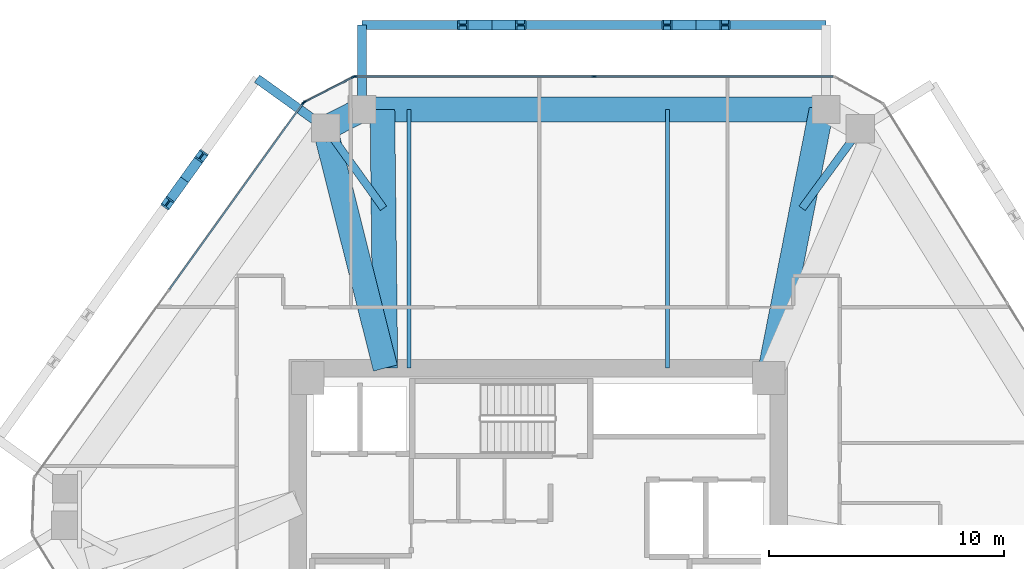
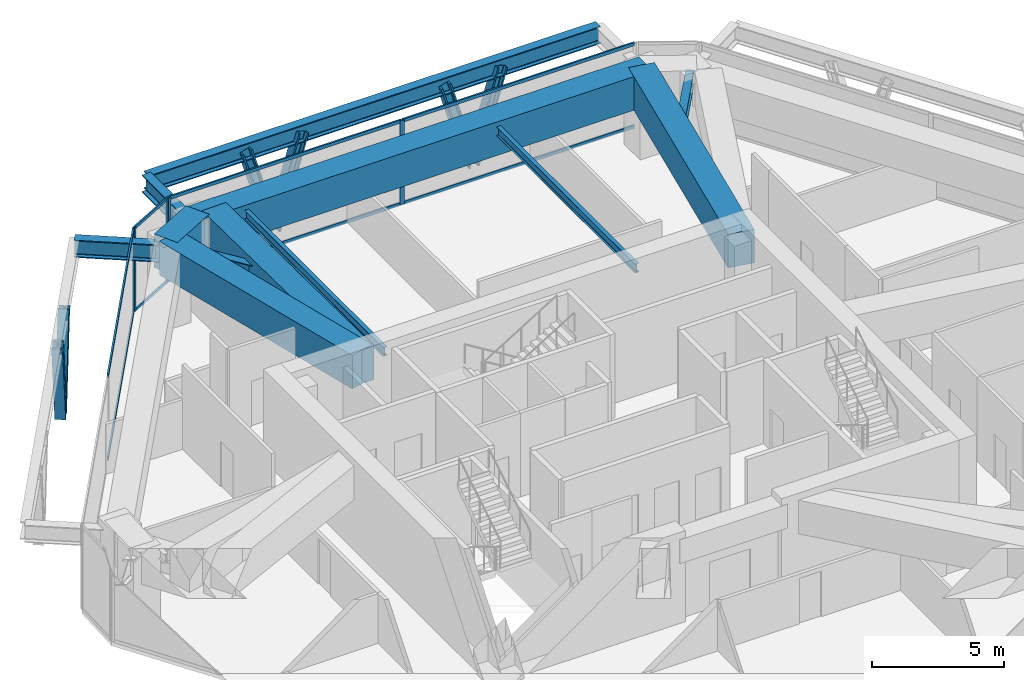
# One storey, part 7 of 14: 19 members, 12 beams, 3 elements without a shape of their own.
"""IFC4 building model written with IfcOpenShell, lengths in metres."""

from ifc_helpers import new_model, si_unit, direction, frame, origin, origin_2d, place, context, subcontext, project, spatial, rectangle, i_section, extrude, source, transform, mapped, material, layer, layer_set, material_profile, profile_set, type_object, type_shapes, element, aggregate, save


model = new_model("IFC4")

# Units and contexts
model_context = context("Model", 3, precision=1e-05, world=origin(), true_north=direction((0.0, 1.0)))
body_context = subcontext(model_context, "Body", "Model", "MODEL_VIEW")
ifc_project = project(units=[si_unit("LENGTHUNIT", "METRE"), si_unit("AREAUNIT", "SQUARE_METRE"), si_unit("VOLUMEUNIT", "CUBIC_METRE"), si_unit("PLANEANGLEUNIT", "RADIAN"), si_unit("MASSUNIT", "GRAM", prefix="KILO")], contexts=[model_context])

# Site, building, storey
site_placement = place(None, origin())
site = spatial("IfcSite", under=ifc_project, at=site_placement, CompositionType="ELEMENT")
building_placement = place(site_placement, origin())
building = spatial("IfcBuilding", under=site, at=building_placement, Name="Durnholm Broadcast Tower", CompositionType="ELEMENT")
storey_placement = place(building_placement, frame((0.0, 0.0, 146.10009765625)))
storey = spatial("IfcBuildingStorey", under=building, at=storey_placement, Name="L40", CompositionType="ELEMENT", Elevation=146.10009765625)

# Beams
ifc_material_1 = material(Name="Steel ASTM A992 Grade 50", Category="steel")
ifc_material_profile_1 = material_profile(ifc_material_1, i_section(OverallWidth=0.385009765625, OverallDepth=0.802978515625, WebThickness=0.023681640625, FlangeThickness=0.0419921875, FilletRadius=0.032958984375, at=origin_2d()), Name="W30X261")
ifc_profile_set_1 = profile_set([ifc_material_profile_1], Name="Steel ASTM A992 Grade 50")
beam_type_1 = type_object("IfcBeamType", Name="BM-EXO-TIE", PredefinedType="USERDEFINED", material=ifc_profile_set_1)
shared_shape_1 = source(origin(), body_context, "Body", "SweptSolid", [
    extrude(i_section(OverallWidth=0.385009765625, OverallDepth=0.802978515625, WebThickness=0.023681640625, FlangeThickness=0.0419921875, FilletRadius=0.032958984375, at=origin_2d()), origin(), (0.0, 0.0, 1.0), 3.4560546875),
])
beam_1_placement = place(storey_placement, frame((-7.498046875, 19.35888671875, 3.12841796875), z_axis=(0.0, 1.0, 0.0), x_axis=(-1.0, 0.0, 0.0)))
element("IfcBeam", 1, at=beam_1_placement, inside=storey, type_object=beam_type_1, Name="L40 exoskeleton stand-off tie bracket F4.2", ObjectType="GIRDER", PredefinedType="USERDEFINED", context=body_context, shape_type="MappedRepresentation", body=[
    mapped(shared_shape_1, transform((0.0, 0.0, 0.0), x_axis=(1.0, 0.0, 0.0), y_axis=(0.0, 1.0, 0.0), z_axis=(0.0, 0.0, 1.0), scale=1.0)),
])
ifc_material_profile_2 = material_profile(ifc_material_1, i_section(OverallWidth=0.177734375, OverallDepth=0.40673828125, WebThickness=0.0078125, FlangeThickness=0.0126953125, FilletRadius=0.01904296875, at=origin_2d()), Name="W16X40")
ifc_profile_set_2 = profile_set([ifc_material_profile_2], Name="Steel ASTM A992 Grade 50")
beam_type_2 = type_object("IfcBeamType", Name="STL-BJ-W16X40", PredefinedType="JOIST", material=ifc_profile_set_2)
shared_shape_2 = source(origin(), body_context, "Body", "SweptSolid", [
    extrude(i_section(OverallWidth=0.177734375, OverallDepth=0.40673828125, WebThickness=0.0078125, FlangeThickness=0.0126953125, FilletRadius=0.01904296875, at=origin_2d()), origin(), (0.0, 0.0, 1.0), 10.989990234375),
])
type_shapes(beam_type_2, [shared_shape_2])
for number, where, z_axis, x_axis, name in (
    (2, (-5.5, 8.22509765625, 3.45654296875), (0.0, 1.0, 0.0), (-1.0, 0.0, 0.0), "L40 secondary floor joist 3.2"),
    (3, (5.5, 8.22509765625, 3.45654296875), (0.0, 1.0, 0.0), (-1.0, 0.0, 0.0), "L40 secondary floor joist 4.2"),
):
    element("IfcBeam", number, at=place(storey_placement, frame(where, z_axis=z_axis, x_axis=x_axis)), inside=storey, type_object=beam_type_2, Name=name, PredefinedType="JOIST", context=body_context, shape_type="MappedRepresentation", body=[
        mapped(shared_shape_2, transform((0.0, 0.0, 0.0), x_axis=(1.0, 0.0, 0.0), y_axis=(0.0, 1.0, 0.0), z_axis=(0.0, 0.0, 1.0), scale=1.0)),
    ])
shared_shape_3 = source(origin(), body_context, "Body", "SweptSolid", [
    extrude(i_section(OverallWidth=0.385009765625, OverallDepth=0.802978515625, WebThickness=0.023681640625, FlangeThickness=0.0419921875, FilletRadius=0.032958984375, at=origin_2d()), origin(), (0.0, 0.0, 1.0), 19.72802734375),
])
beam_2_placement = place(storey_placement, frame((12.22998046875, 22.81494140625, 3.12841796875), z_axis=(-1.0, 0.0, 0.0), x_axis=(0.0, -1.0, 0.0)))
element("IfcBeam", 4, at=beam_2_placement, inside=storey, type_object=beam_type_1, Name="L40 exoskeleton collector spandrel F4", PredefinedType="SPANDREL", context=body_context, shape_type="MappedRepresentation", body=[
    mapped(shared_shape_3, transform((0.0, 0.0, 0.0), x_axis=(1.0, 0.0, 0.0), y_axis=(0.0, 1.0, 0.0), z_axis=(0.0, 0.0, 1.0), scale=1.0)),
])
shared_shape_4 = source(origin(), body_context, "Body", "SweptSolid", [
    extrude(i_section(OverallWidth=0.385009765625, OverallDepth=0.802978515625, WebThickness=0.023681640625, FlangeThickness=0.0419921875, FilletRadius=0.032958984375, at=origin_2d()), origin(), (0.0, 0.0, 1.0), 3.456298828125),
])
type_shapes(beam_type_1, [shared_shape_1, shared_shape_3, shared_shape_4])
beam_3_placement = place(storey_placement, frame((-9.14892578125, 18.51220703125, 3.12841796875), z_axis=(-0.812131479052, 0.583474473077, 0.0), x_axis=(-0.583474473077, -0.812131479052, 0.0)))
element("IfcBeam", 5, at=beam_3_placement, inside=storey, type_object=beam_type_1, Name="L40 exoskeleton stand-off tie bracket F5.1", ObjectType="GIRDER", PredefinedType="USERDEFINED", context=body_context, shape_type="MappedRepresentation", body=[
    mapped(shared_shape_4, transform((0.0, 0.0, 0.0), x_axis=(1.0, 0.0, 0.0), y_axis=(0.0, 1.0, 0.0), z_axis=(0.0, 0.0, 1.0), scale=1.0)),
])
ifc_material_2 = material(Name="Concrete C70/85", Category="concrete")
ifc_material_profile_3 = material_profile(ifc_material_2, rectangle(XDim=1.050048828125, YDim=1.550048828125, at=origin_2d()), Name="RC1050X1550")
ifc_profile_set_3 = profile_set([ifc_material_profile_3], Name="Concrete C70/85")
beam_type_3 = type_object("IfcBeamType", Name="BM-TG-RC1550", PredefinedType="USERDEFINED", material=ifc_profile_set_3)
shared_shape_5 = source(origin(), body_context, "Body", "SweptSolid", [
    extrude(rectangle(XDim=1.050048828125, YDim=1.550048828125, at=origin_2d()), origin(), (0.0, 0.0, 1.0), 2.223876953125),
])
beam_4_placement = place(storey_placement, frame((-9.25439453125, 18.314208984375, 3.10498046875), z_axis=(0.889791172852, 0.456367909383, 0.0), x_axis=(-0.456367909383, 0.889791172852, 0.0)))
element("IfcBeam", 6, at=beam_4_placement, inside=storey, type_object=beam_type_3, Name="L40 perimeter transfer spandrel girder 04", PredefinedType="SPANDREL", context=body_context, shape_type="MappedRepresentation", body=[
    mapped(shared_shape_5, transform((0.0, 0.0, 0.0), x_axis=(1.0, 0.0, 0.0), y_axis=(0.0, 1.0, 0.0), z_axis=(0.0, 0.0, 1.0), scale=1.0)),
])
shared_shape_6 = source(origin(), body_context, "Body", "SweptSolid", [
    extrude(rectangle(XDim=1.050048828125, YDim=1.550048828125, at=origin_2d()), origin(), (0.0, 0.0, 1.0), 19.72802734375),
])
beam_5_placement = place(storey_placement, frame((-7.498046875, 19.215087890625, 3.10498046875), z_axis=(1.0, 0.0, 0.0), x_axis=(0.0, 1.0, 0.0)))
element("IfcBeam", 7, at=beam_5_placement, inside=storey, type_object=beam_type_3, Name="L40 perimeter transfer spandrel girder 05", PredefinedType="SPANDREL", context=body_context, shape_type="MappedRepresentation", body=[
    mapped(shared_shape_6, transform((0.0, 0.0, 0.0), x_axis=(1.0, 0.0, 0.0), y_axis=(0.0, 1.0, 0.0), z_axis=(0.0, 0.0, 1.0), scale=1.0)),
])
shared_shape_7 = source(origin(), body_context, "Body", "SweptSolid", [
    extrude(rectangle(XDim=1.050048828125, YDim=1.550048828125, at=origin_2d()), origin(), (0.0, 0.0, 1.0), 10.48486328125),
])
beam_6_placement = place(storey_placement, frame((-6.5, 8.22509765625, 3.10498046875), z_axis=(-0.243888667234, 0.969803236742, 0.0), x_axis=(-0.969803236742, -0.243888667234, 0.0)))
element("IfcBeam", 8, at=beam_6_placement, inside=storey, type_object=beam_type_3, Name="L40 radial setback transfer girder 04", ObjectType="GIRDER", PredefinedType="USERDEFINED", context=body_context, shape_type="MappedRepresentation", body=[
    mapped(shared_shape_7, transform((0.0, 0.0, 0.0), x_axis=(1.0, 0.0, 0.0), y_axis=(0.0, 1.0, 0.0), z_axis=(0.0, 0.0, 1.0), scale=1.0)),
])
shared_shape_8 = source(origin(), body_context, "Body", "SweptSolid", [
    extrude(rectangle(XDim=1.050048828125, YDim=1.550048828125, at=origin_2d()), origin(), (0.0, 0.0, 1.0), 10.99072265625),
])
beam_7_placement = place(storey_placement, frame((-6.5, 8.22509765625, 3.10498046875), z_axis=(-0.011573144687, 0.999933028918, 0.0), x_axis=(-0.999933028918, -0.011573144687, 0.0)))
element("IfcBeam", 9, at=beam_7_placement, inside=storey, type_object=beam_type_3, Name="L40 radial setback transfer girder 05", ObjectType="GIRDER", PredefinedType="USERDEFINED", context=body_context, shape_type="MappedRepresentation", body=[
    mapped(shared_shape_8, transform((0.0, 0.0, 0.0), x_axis=(1.0, 0.0, 0.0), y_axis=(0.0, 1.0, 0.0), z_axis=(0.0, 0.0, 1.0), scale=1.0)),
])
ifc_material_profile_4 = material_profile(ifc_material_1, i_section(OverallWidth=0.3291015625, OverallDepth=0.635009765625, WebThickness=0.017822265625, FlangeThickness=0.031005859375, FilletRadius=0.02783203125, at=origin_2d()), Name="W24X162")
ifc_profile_set_4 = profile_set([ifc_material_profile_4], Name="Steel ASTM A992 Grade 50")
beam_type_4 = type_object("IfcBeamType", Name="STL-SP-W24X162", PredefinedType="SPANDREL", material=ifc_profile_set_4)
shared_shape_9 = source(origin(), body_context, "Body", "SweptSolid", [
    extrude(i_section(OverallWidth=0.3291015625, OverallDepth=0.635009765625, WebThickness=0.017822265625, FlangeThickness=0.031005859375, FilletRadius=0.02783203125, at=origin_2d()), origin(), (0.0, 0.0, 1.0), 4.200927734375),
])
beam_8_placement = place(storey_placement, frame((-9.031982421875, 18.42822265625, 3.260009765625), z_axis=(0.584000023651, -0.811753640199, 0.0), x_axis=(0.811753640199, 0.584000023651, 0.0)))
element("IfcBeam", 10, at=beam_8_placement, inside=storey, type_object=beam_type_4, Name="L40 perimeter column collector tie 05", ObjectType="GIRDER", PredefinedType="USERDEFINED", context=body_context, shape_type="MappedRepresentation", body=[
    mapped(shared_shape_9, transform((0.0, 0.0, 0.0), x_axis=(1.0, 0.0, 0.0), y_axis=(0.0, 1.0, 0.0), z_axis=(0.0, 0.0, 1.0), scale=1.0)),
])
shared_shape_10 = source(origin(), body_context, "Body", "SweptSolid", [
    extrude(rectangle(XDim=1.050048828125, YDim=1.550048828125, at=origin_2d()), origin(), (0.0, 0.0, 1.0), 11.633056640625),
])
type_shapes(beam_type_3, [shared_shape_5, shared_shape_6, shared_shape_7, shared_shape_8, shared_shape_10])
beam_9_placement = place(storey_placement, frame((9.800048828125, 7.800048828125, 3.10498046875), z_axis=(0.192700559539, 0.981257608558, 0.0), x_axis=(-0.981257608558, 0.192700559539, 0.0)))
element("IfcBeam", 11, at=beam_9_placement, inside=storey, type_object=beam_type_3, Name="L40 radial setback transfer girder 06", ObjectType="GIRDER", PredefinedType="USERDEFINED", context=body_context, shape_type="MappedRepresentation", body=[
    mapped(shared_shape_10, transform((0.0, 0.0, 0.0), x_axis=(1.0, 0.0, 0.0), y_axis=(0.0, 1.0, 0.0), z_axis=(0.0, 0.0, 1.0), scale=1.0)),
])
shared_shape_11 = source(origin(), body_context, "Body", "SweptSolid", [
    extrude(i_section(OverallWidth=0.3291015625, OverallDepth=0.635009765625, WebThickness=0.017822265625, FlangeThickness=0.031005859375, FilletRadius=0.02783203125, at=origin_2d()), origin(), (0.0, 0.0, 1.0), 4.191650390625),
])
type_shapes(beam_type_4, [shared_shape_9, shared_shape_11])
beam_10_placement = place(storey_placement, frame((13.692138671875, 18.4013671875, 3.260009765625), z_axis=(-0.590358247911, -0.807141337762, 0.0), x_axis=(0.807141337762, -0.590358247911, 0.0)))
element("IfcBeam", 12, at=beam_10_placement, inside=storey, type_object=beam_type_4, Name="L40 perimeter column collector tie 06", ObjectType="GIRDER", PredefinedType="USERDEFINED", context=body_context, shape_type="MappedRepresentation", body=[
    mapped(shared_shape_11, transform((0.0, 0.0, 0.0), x_axis=(1.0, 0.0, 0.0), y_axis=(0.0, 1.0, 0.0), z_axis=(0.0, 0.0, 1.0), scale=1.0)),
])

# Members
ifc_material_3 = material(Name="Steel ASTM A913 Grade 65", Category="steel")
ifc_material_profile_5 = material_profile(ifc_material_3, i_section(OverallWidth=0.41845703125, OverallDepth=0.455078125, WebThickness=0.0419921875, FlangeThickness=0.067626953125, FilletRadius=0.030517578125, at=origin_2d()), Name="W14X370")
ifc_profile_set_5 = profile_set([ifc_material_profile_5], Name="Steel ASTM A913 Grade 65")
member_type_1 = type_object("IfcMemberType", Name="STL-DG-W14X370", PredefinedType="BRACE", material=ifc_profile_set_5)
shared_shape_12 = source(origin(), body_context, "Body", "SweptSolid", [
    extrude(i_section(OverallWidth=0.41845703125, OverallDepth=0.455078125, WebThickness=0.0419921875, FlangeThickness=0.067626953125, FilletRadius=0.030517578125, at=origin_2d()), origin(), (0.0, 0.0, 1.0), 4.30078125),
])
for number, where, z_axis, x_axis, name in (
    (13, (6.7060546875, 22.81494140625, -0.991455078125), (0.286905169105, 0.0, 0.957958988653), (0.0, 1.0, 0.0), "L40 stand-off diagrid brace F4.D1.1"),
    (14, (-1.974365234375, 22.81494140625, -0.991455078125), (0.286905169105, 0.0, 0.957958988653), (0.0, 1.0, 0.0), "L40 stand-off diagrid brace F4.D2.1"),
):
    element("IfcMember", number, at=place(storey_placement, frame(where, z_axis=z_axis, x_axis=x_axis)), inside=storey, type_object=member_type_1, Name=name, PredefinedType="BRACE", context=body_context, shape_type="MappedRepresentation", body=[
        mapped(shared_shape_12, transform((0.0, 0.0, 0.0), x_axis=(1.0, 0.0, 0.0), y_axis=(0.0, 1.0, 0.0), z_axis=(0.0, 0.0, 1.0), scale=1.0)),
    ])
shared_shape_13 = source(origin(), body_context, "Body", "SweptSolid", [
    extrude(i_section(OverallWidth=0.41845703125, OverallDepth=0.455078125, WebThickness=0.0419921875, FlangeThickness=0.067626953125, FilletRadius=0.030517578125, at=origin_2d()), origin(), (0.0, 0.0, 1.0), 4.300537109375),
])
type_shapes(member_type_1, [shared_shape_12, shared_shape_13])
for number, where, z_axis, x_axis, name in (
    (15, (6.7060546875, 22.81494140625, -0.991455078125), (-0.286853072721, 0.0, 0.957974589783), (0.0, -1.0, 0.0), "L40 stand-off diagrid brace F4.D1.2"),
    (16, (-1.974365234375, 22.81494140625, -0.991455078125), (-0.286853072721, 0.0, 0.957974589783), (0.0, -1.0, 0.0), "L40 stand-off diagrid brace F4.D2.2"),
    (17, (-15.040771484375, 16.234375, -0.991455078125), (0.167354421048, 0.232979153318, 0.957973492261), (-0.812179469647, 0.583407669717, 0.0), "L40 stand-off diagrid brace F5.D1.1"),
    (18, (-15.040771484375, 16.234375, -0.991455078125), (-0.167409599109, -0.232976939553, 0.957964389611), (0.812085698931, -0.583538188632, 0.0), "L40 stand-off diagrid brace F5.D1.2"),
):
    element("IfcMember", number, at=place(storey_placement, frame(where, z_axis=z_axis, x_axis=x_axis)), inside=storey, type_object=member_type_1, Name=name, PredefinedType="BRACE", context=body_context, shape_type="MappedRepresentation", body=[
        mapped(shared_shape_13, transform((0.0, 0.0, 0.0), x_axis=(1.0, 0.0, 0.0), y_axis=(0.0, 1.0, 0.0), z_axis=(0.0, 0.0, 1.0), scale=1.0)),
    ])

# Curtain wall, members
ifc_material_4 = material(Name="Aluminium and Solar Control IGU", Category="aluminium")
ifc_layer_1 = layer(ifc_material_4, 0.1650390625)
ifc_layer_set_1 = layer_set([ifc_layer_1], Name="Aluminium and Solar Control IGU")
curtain_wall_type_1 = type_object("IfcCurtainWallType", Name="CW-SYS-5", PredefinedType="NOTDEFINED", material=ifc_layer_set_1)
curtain_wall_1_placement = place(storey_placement, origin())
curtain_wall_1 = element("IfcCurtainWall", 19, at=curtain_wall_1_placement, inside=storey, type_object=curtain_wall_type_1, Name="L40 curtain wall CW-CORNER CW-L40-CRN-03", PredefinedType="NOTDEFINED")
ifc_material_5 = material(Name="Aluminium 6063-T6", Category="aluminium")
ifc_material_profile_6 = material_profile(ifc_material_5, rectangle(XDim=0.06494140625, YDim=0.1298828125, at=origin_2d()), Name="CWT65X130")
ifc_profile_set_6 = profile_set([ifc_material_profile_6], Name="Aluminium 6063-T6")
member_type_2 = type_object("IfcMemberType", Name="CW-SYS-5-TRN", PredefinedType="USERDEFINED", material=ifc_profile_set_6)
shared_shape_14 = source(origin(), body_context, "Body", "SweptSolid", [
    extrude(rectangle(XDim=0.06494140625, YDim=0.1298828125, at=origin_2d()), origin(), (0.0, 0.0, 1.0), 2.27001953125),
])
type_shapes(member_type_2, [shared_shape_14])
member_1_placement = place(storey_placement, frame((-9.913818359375, 19.54931640625, 0.032470703125), z_axis=(0.889754750021, 0.456438916849, 0.0), x_axis=(-0.456438916849, 0.889754750021, 0.0)))
member_1 = element("IfcMember", 20, at=member_1_placement, type_object=member_type_2, Name="CW-CORNER transom 1.1", ObjectType="TRANSOM", PredefinedType="USERDEFINED", context=body_context, shape_type="MappedRepresentation", body=[
    mapped(shared_shape_14, transform((0.0, 0.0, 0.0), x_axis=(1.0, 0.0, 0.0), y_axis=(0.0, 1.0, 0.0), z_axis=(0.0, 0.0, 1.0), scale=1.0)),
])
member_2_placement = place(storey_placement, frame((-9.913818359375, 19.54931640625, 3.847412109375), z_axis=(0.889754750021, 0.456438916849, 0.0), x_axis=(-0.456438916849, 0.889754750021, 0.0)))
member_2 = element("IfcMember", 21, at=member_2_placement, type_object=member_type_2, Name="CW-CORNER transom 1.2", ObjectType="TRANSOM", PredefinedType="USERDEFINED", context=body_context, shape_type="MappedRepresentation", body=[
    mapped(shared_shape_14, transform((0.0, 0.0, 0.0), x_axis=(1.0, 0.0, 0.0), y_axis=(0.0, 1.0, 0.0), z_axis=(0.0, 0.0, 1.0), scale=1.0)),
])

ifc_layer_2 = layer(ifc_material_4, 0.18994140625)
ifc_layer_set_2 = layer_set([ifc_layer_2], Name="Aluminium and Solar Control IGU")
curtain_wall_type_2 = type_object("IfcCurtainWallType", Name="CW-SYS-3", PredefinedType="NOTDEFINED", material=ifc_layer_set_2)
curtain_wall_2_placement = place(storey_placement, origin())
curtain_wall_2 = element("IfcCurtainWall", 22, at=curtain_wall_2_placement, inside=storey, type_object=curtain_wall_type_2, Name="L40 curtain wall CW-Z12-VIS CW-L40-F02", PredefinedType="NOTDEFINED")
ifc_material_profile_7 = material_profile(ifc_material_5, rectangle(XDim=0.070068359375, YDim=0.14990234375, at=origin_2d()), Name="CWT70X150")
ifc_profile_set_7 = profile_set([ifc_material_profile_7], Name="Aluminium 6063-T6")
member_type_3 = type_object("IfcMemberType", Name="CW-SYS-3-TRN", PredefinedType="USERDEFINED", material=ifc_profile_set_7)
shared_shape_15 = source(origin(), body_context, "Body", "SweptSolid", [
    extrude(rectangle(XDim=0.070068359375, YDim=0.14990234375, at=origin_2d()), origin(), (0.0, 0.0, 1.0), 9.71875),
])
member_3_placement = place(storey_placement, frame((-15.682861328125, 11.56982421875, 0.034912109375), z_axis=(0.583450726174, 0.812148539448, 0.0), x_axis=(-0.812148539448, 0.583450726174, 0.0)))
member_3 = element("IfcMember", 23, at=member_3_placement, type_object=member_type_3, Name="CW-Z12-VIS transom 2.1", ObjectType="TRANSOM", PredefinedType="USERDEFINED", context=body_context, shape_type="MappedRepresentation", body=[
    mapped(shared_shape_15, transform((0.0, 0.0, 0.0), x_axis=(1.0, 0.0, 0.0), y_axis=(0.0, 1.0, 0.0), z_axis=(0.0, 0.0, 1.0), scale=1.0)),
])
member_4_placement = place(storey_placement, frame((-15.682861328125, 11.56982421875, 3.844970703125), z_axis=(0.583450726174, 0.812148539448, 0.0), x_axis=(-0.812148539448, 0.583450726174, 0.0)))
member_4 = element("IfcMember", 24, at=member_4_placement, type_object=member_type_3, Name="CW-Z12-VIS transom 2.2", ObjectType="TRANSOM", PredefinedType="USERDEFINED", context=body_context, shape_type="MappedRepresentation", body=[
    mapped(shared_shape_15, transform((0.0, 0.0, 0.0), x_axis=(1.0, 0.0, 0.0), y_axis=(0.0, 1.0, 0.0), z_axis=(0.0, 0.0, 1.0), scale=1.0)),
])

curtain_wall_3_placement = place(storey_placement, origin())
curtain_wall_3 = element("IfcCurtainWall", 25, at=curtain_wall_3_placement, inside=storey, type_object=curtain_wall_type_2, Name="L40 curtain wall CW-Z12-VIS CW-L40-F04", PredefinedType="NOTDEFINED")
shared_shape_16 = source(origin(), body_context, "Body", "SweptSolid", [
    extrude(rectangle(XDim=0.070068359375, YDim=0.14990234375, at=origin_2d()), origin(), (0.0, 0.0, 1.0), 10.109619140625),
])
type_shapes(member_type_3, [shared_shape_15, shared_shape_16])
member_5_placement = place(storey_placement, frame((-7.76611328125, 20.614990234375, 0.034912109375), z_axis=(1.0, 0.0, 0.0), x_axis=(0.0, 1.0, 0.0)))
member_5 = element("IfcMember", 26, at=member_5_placement, type_object=member_type_3, Name="CW-Z12-VIS transom 1.1", ObjectType="TRANSOM", PredefinedType="USERDEFINED", context=body_context, shape_type="MappedRepresentation", body=[
    mapped(shared_shape_16, transform((0.0, 0.0, 0.0), x_axis=(1.0, 0.0, 0.0), y_axis=(0.0, 1.0, 0.0), z_axis=(0.0, 0.0, 1.0), scale=1.0)),
])
member_6_placement = place(storey_placement, frame((-7.76611328125, 20.614990234375, 3.844970703125), z_axis=(1.0, 0.0, 0.0), x_axis=(0.0, 1.0, 0.0)))
member_6 = element("IfcMember", 27, at=member_6_placement, type_object=member_type_3, Name="CW-Z12-VIS transom 1.2", ObjectType="TRANSOM", PredefinedType="USERDEFINED", context=body_context, shape_type="MappedRepresentation", body=[
    mapped(shared_shape_16, transform((0.0, 0.0, 0.0), x_axis=(1.0, 0.0, 0.0), y_axis=(0.0, 1.0, 0.0), z_axis=(0.0, 0.0, 1.0), scale=1.0)),
])
member_7_placement = place(storey_placement, frame((2.41357421875, 20.614990234375, 0.034912109375), z_axis=(1.0, 0.0, 0.0), x_axis=(0.0, 1.0, 0.0)))
member_7 = element("IfcMember", 28, at=member_7_placement, type_object=member_type_3, Name="CW-Z12-VIS transom 2.1", ObjectType="TRANSOM", PredefinedType="USERDEFINED", context=body_context, shape_type="MappedRepresentation", body=[
    mapped(shared_shape_16, transform((0.0, 0.0, 0.0), x_axis=(1.0, 0.0, 0.0), y_axis=(0.0, 1.0, 0.0), z_axis=(0.0, 0.0, 1.0), scale=1.0)),
])
member_8_placement = place(storey_placement, frame((2.41357421875, 20.614990234375, 3.844970703125), z_axis=(1.0, 0.0, 0.0), x_axis=(0.0, 1.0, 0.0)))
member_8 = element("IfcMember", 29, at=member_8_placement, type_object=member_type_3, Name="CW-Z12-VIS transom 2.2", ObjectType="TRANSOM", PredefinedType="USERDEFINED", context=body_context, shape_type="MappedRepresentation", body=[
    mapped(shared_shape_16, transform((0.0, 0.0, 0.0), x_axis=(1.0, 0.0, 0.0), y_axis=(0.0, 1.0, 0.0), z_axis=(0.0, 0.0, 1.0), scale=1.0)),
])

# Member
ifc_material_profile_8 = material_profile(ifc_material_5, rectangle(XDim=0.06494140625, YDim=0.1650390625, at=origin_2d()), Name="CWM65X165")
ifc_profile_set_8 = profile_set([ifc_material_profile_8], Name="Aluminium 6063-T6")
member_type_4 = type_object("IfcMemberType", Name="CW-SYS-5-MUL", PredefinedType="MULLION", material=ifc_profile_set_8)
shared_shape_17 = source(origin(), body_context, "Body", "SweptSolid", [
    extrude(rectangle(XDim=0.06494140625, YDim=0.1650390625, at=origin_2d()), origin(), (0.0, 0.0, 1.0), 3.8798828125),
])
type_shapes(member_type_4, [shared_shape_17])
member_9_placement = place(storey_placement, frame((-9.94287109375, 19.534423828125, 0.0), z_axis=(0.0, 0.0, 1.0), x_axis=(-0.45637332267, 0.889788396392, 0.0)))
member_9 = element("IfcMember", 30, at=member_9_placement, type_object=member_type_4, Name="CW-CORNER mullion 1", PredefinedType="MULLION", context=body_context, shape_type="MappedRepresentation", body=[
    mapped(shared_shape_17, transform((0.0, 0.0, 0.0), x_axis=(1.0, 0.0, 0.0), y_axis=(0.0, 1.0, 0.0), z_axis=(0.0, 0.0, 1.0), scale=1.0)),
])

member_10_placement = place(storey_placement, frame((-7.865234375, 20.60009765625, 0.0), z_axis=(0.0, 0.0, 1.0), x_axis=(-0.45637332267, 0.889788396392, 0.0)))
member_10 = element("IfcMember", 31, at=member_10_placement, type_object=member_type_4, Name="CW-CORNER mullion 2", PredefinedType="MULLION", context=body_context, shape_type="MappedRepresentation", body=[
    mapped(shared_shape_17, transform((0.0, 0.0, 0.0), x_axis=(1.0, 0.0, 0.0), y_axis=(0.0, 1.0, 0.0), z_axis=(0.0, 0.0, 1.0), scale=1.0)),
])

aggregate(curtain_wall_1, [member_9, member_10, member_1, member_2])

ifc_material_profile_9 = material_profile(ifc_material_5, rectangle(XDim=0.070068359375, YDim=0.18994140625, at=origin_2d()), Name="CWM70X190")
ifc_profile_set_9 = profile_set([ifc_material_profile_9], Name="Aluminium 6063-T6")
member_type_5 = type_object("IfcMemberType", Name="CW-SYS-3-MUL", PredefinedType="MULLION", material=ifc_profile_set_9)
shared_shape_18 = source(origin(), body_context, "Body", "SweptSolid", [
    extrude(rectangle(XDim=0.070068359375, YDim=0.18994140625, at=origin_2d()), origin(), (0.0, 0.0, 1.0), 3.8798828125),
])
type_shapes(member_type_5, [shared_shape_18])
member_11_placement = place(storey_placement, frame((-9.9921875, 19.4912109375, 0.0), z_axis=(0.0, 0.0, 1.0), x_axis=(-0.812152312759, 0.583445473786, 0.0)))
member_11 = element("IfcMember", 32, at=member_11_placement, type_object=member_type_5, Name="CW-Z12-VIS mullion 3", PredefinedType="MULLION", context=body_context, shape_type="MappedRepresentation", body=[
    mapped(shared_shape_18, transform((0.0, 0.0, 0.0), x_axis=(1.0, 0.0, 0.0), y_axis=(0.0, 1.0, 0.0), z_axis=(0.0, 0.0, 1.0), scale=1.0)),
])

aggregate(curtain_wall_2, [member_11, member_3, member_4])

member_12_placement = place(storey_placement, frame((-7.80126953125, 20.614990234375, 0.0), z_axis=(0.0, 0.0, 1.0), x_axis=(0.0, 1.0, 0.0)))
member_12 = element("IfcMember", 33, at=member_12_placement, type_object=member_type_5, Name="CW-Z12-VIS mullion 1", PredefinedType="MULLION", context=body_context, shape_type="MappedRepresentation", body=[
    mapped(shared_shape_18, transform((0.0, 0.0, 0.0), x_axis=(1.0, 0.0, 0.0), y_axis=(0.0, 1.0, 0.0), z_axis=(0.0, 0.0, 1.0), scale=1.0)),
])

member_13_placement = place(storey_placement, frame((2.37841796875, 20.614990234375, 0.0), z_axis=(0.0, 0.0, 1.0), x_axis=(0.0, 1.0, 0.0)))
member_13 = element("IfcMember", 34, at=member_13_placement, type_object=member_type_5, Name="CW-Z12-VIS mullion 2", PredefinedType="MULLION", context=body_context, shape_type="MappedRepresentation", body=[
    mapped(shared_shape_18, transform((0.0, 0.0, 0.0), x_axis=(1.0, 0.0, 0.0), y_axis=(0.0, 1.0, 0.0), z_axis=(0.0, 0.0, 1.0), scale=1.0)),
])

aggregate(curtain_wall_3, [member_12, member_13, member_5, member_6, member_7, member_8])

save(model, "model.ifc")
